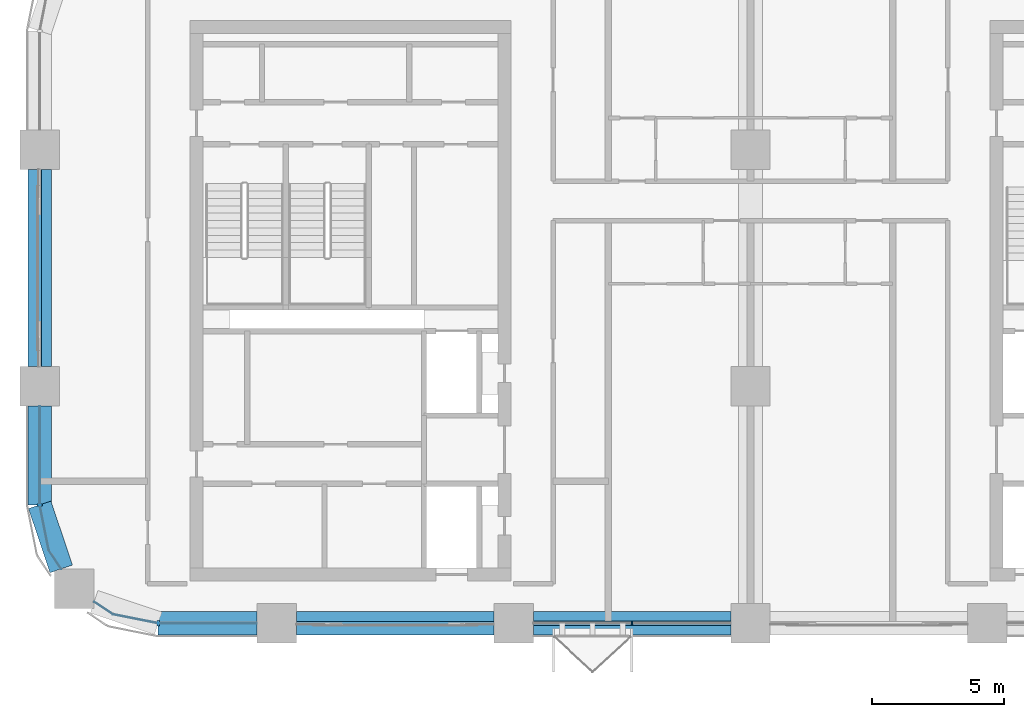
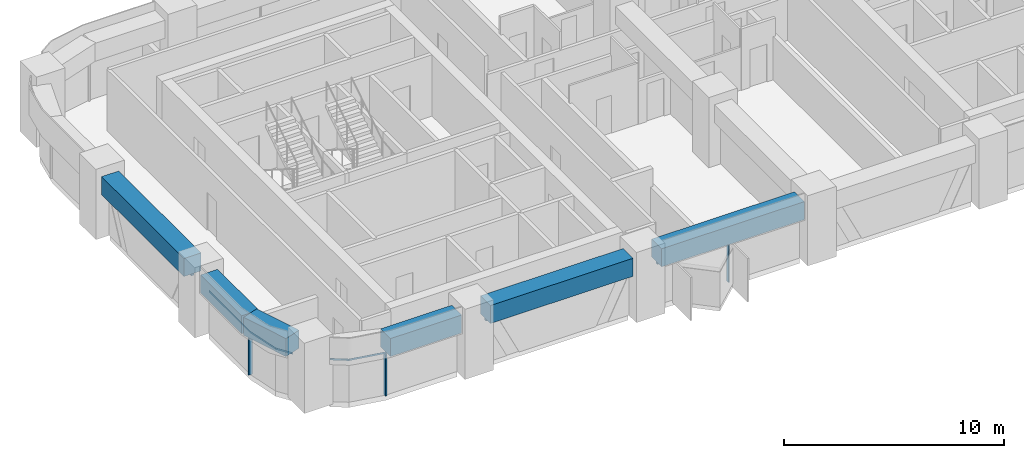
# One storey, part 2 of 14: 8 members, 6 beams, 5 elements without a shape of their own.
"""IFC4 building model written with IfcOpenShell, lengths in metres."""

from ifc_helpers import new_model, si_unit, direction, frame, origin, origin_2d, place, context, subcontext, project, spatial, polyline, rectangle, outline, extrude, material, material_profile, profile_set, type_object, element, aggregate, save


model = new_model("IFC4")

# Units and contexts
model_context = context("Model", 3, precision=1e-05, world=origin(), true_north=direction((0.0, 1.0)))
body_context = subcontext(model_context, "Body", "Model", "MODEL_VIEW")
ifc_project = project(units=[si_unit("LENGTHUNIT", "METRE"), si_unit("AREAUNIT", "SQUARE_METRE"), si_unit("VOLUMEUNIT", "CUBIC_METRE"), si_unit("PLANEANGLEUNIT", "RADIAN"), si_unit("MASSUNIT", "GRAM", prefix="KILO")], contexts=[model_context])

# Site, building, storey
site_placement = place(None, origin())
site = spatial("IfcSite", under=ifc_project, at=site_placement, CompositionType="ELEMENT")
building_placement = place(site_placement, origin())
building = spatial("IfcBuilding", under=site, at=building_placement, Name="Tessera Arch", CompositionType="ELEMENT")
storey_placement = place(building_placement, frame((0.0, 0.0, 193.39990234375)))
storey = spatial("IfcBuildingStorey", under=building, at=storey_placement, Name="L46", CompositionType="ELEMENT", Elevation=193.39990234375)

# Curtain wall, members
ifc_material_1 = material(Name="CW1 curtain wall")
curtain_wall_type_1 = type_object("IfcCurtainWallType", Name="CW1 curtain wall", PredefinedType="NOTDEFINED", material=ifc_material_1)
curtain_wall_1_placement = place(storey_placement, origin())
curtain_wall_1 = element("IfcCurtainWall", 1, at=curtain_wall_1_placement, inside=storey, type_object=curtain_wall_type_1, Name="CW1 curtain wall S27.0/2 L46", PredefinedType="NOTDEFINED")
ifc_material_2 = material(Name="Anodised aluminium pale metal", Category="aluminium")
ifc_material_profile_1 = material_profile(ifc_material_2, rectangle(XDim=0.159912109375, YDim=0.06005859375, at=origin_2d()), Name="AL 60x160")
ifc_profile_set_1 = profile_set([ifc_material_profile_1], Name="Anodised aluminium pale metal")
member_type_1 = type_object("IfcMemberType", Name="CW1 mullion", PredefinedType="MULLION", material=ifc_profile_set_1)
member_1_placement = place(storey_placement, frame((22.5, 27.0, 0.0), z_axis=(0.0, 0.0, 1.0), x_axis=(0.0, 1.0, 0.0)))
member_1 = element("IfcMember", 2, at=member_1_placement, type_object=member_type_1, Name="CW1 mullion S27.0/2 1", PredefinedType="MULLION", context=body_context, shape_type="SweptSolid", body=[
    extrude(rectangle(XDim=0.159912109375, YDim=0.06005859375, at=origin_2d()), origin(), (0.0, 0.0, 1.0), 2.300048828125),
])
ifc_material_3 = material(Name="Anodised aluminium pale metal", Category="aluminium")
ifc_material_profile_2 = material_profile(ifc_material_3, rectangle(XDim=0.159912109375, YDim=0.10009765625, at=origin_2d()), Name="AL 160x100")
ifc_profile_set_2 = profile_set([ifc_material_profile_2], Name="Anodised aluminium pale metal")
member_type_2 = type_object("IfcMemberType", Name="CW1 transom", PredefinedType="USERDEFINED", material=ifc_profile_set_2)
member_2_placement = place(storey_placement, frame((18.75, 27.0, 2.35009765625), z_axis=(1.0, 0.0, 0.0), x_axis=(0.0, 1.0, 0.0)))
member_2 = element("IfcMember", 3, at=member_2_placement, type_object=member_type_2, Name="CW1 transom S27.0/2 1.1", ObjectType="TRANSOM", PredefinedType="USERDEFINED", context=body_context, shape_type="SweptSolid", body=[
    extrude(rectangle(XDim=0.159912109375, YDim=0.10009765625, at=origin_2d()), origin(), (0.0, 0.0, 1.0), 7.5),
])
aggregate(curtain_wall_1, [member_1, member_2])

# Curtain wall, member
ifc_material_4 = material(Name="CW2 curtain wall")
curtain_wall_type_2 = type_object("IfcCurtainWallType", Name="CW2 curtain wall", PredefinedType="NOTDEFINED", material=ifc_material_4)
curtain_wall_2_placement = place(storey_placement, origin())
curtain_wall_2 = element("IfcCurtainWall", 4, at=curtain_wall_2_placement, inside=storey, type_object=curtain_wall_type_2, Name="CW2 curtain wall W0.27/2 L46", PredefinedType="NOTDEFINED")
ifc_material_5 = material(Name="Anodised aluminium pale metal", Category="aluminium")
ifc_material_profile_3 = material_profile(ifc_material_5, rectangle(XDim=0.199951171875, YDim=0.080078125, at=origin_2d()), Name="AL 80x200")
ifc_profile_set_3 = profile_set([ifc_material_profile_3], Name="Anodised aluminium pale metal")
member_type_3 = type_object("IfcMemberType", Name="CW2 mullion", PredefinedType="MULLION", material=ifc_profile_set_3)
member_3_placement = place(storey_placement, frame((0.0, 31.5, 0.0), z_axis=(0.0, 0.0, 1.0), x_axis=(1.0, 0.0, 0.0)))
member_3 = element("IfcMember", 5, at=member_3_placement, type_object=member_type_3, Name="CW2 mullion W0.27/2 1", PredefinedType="MULLION", context=body_context, shape_type="SweptSolid", body=[
    extrude(rectangle(XDim=0.199951171875, YDim=0.080078125, at=origin_2d()), origin(), (0.0, 0.0, 1.0), 2.300048828125),
])

curtain_wall_3_placement = place(storey_placement, origin())
curtain_wall_3 = element("IfcCurtainWall", 6, at=curtain_wall_3_placement, inside=storey, type_object=curtain_wall_type_2, Name="CW2 curtain wall S27.0/0 L46", PredefinedType="NOTDEFINED")
member_4_placement = place(storey_placement, frame((4.5, 27.0, 0.0), z_axis=(0.0, 0.0, 1.0), x_axis=(0.0, 1.0, 0.0)))
member_4 = element("IfcMember", 7, at=member_4_placement, type_object=member_type_3, Name="CW2 mullion S27.0/0 1", PredefinedType="MULLION", context=body_context, shape_type="SweptSolid", body=[
    extrude(rectangle(XDim=0.199951171875, YDim=0.080078125, at=origin_2d()), origin(), (0.0, 0.0, 1.0), 2.300048828125),
])

# Member
ifc_material_6 = material(Name="Anodised aluminium pale metal", Category="aluminium")
ifc_material_profile_4 = material_profile(ifc_material_6, rectangle(XDim=0.199951171875, YDim=0.10009765625, at=origin_2d()), Name="AL 200x100")
ifc_profile_set_4 = profile_set([ifc_material_profile_4], Name="Anodised aluminium pale metal")
member_type_4 = type_object("IfcMemberType", Name="CW2 transom", PredefinedType="USERDEFINED", material=ifc_profile_set_4)
member_5_placement = place(storey_placement, frame((0.0, 0.0, 2.300048828125)))
member_5 = element("IfcMember", 8, at=member_5_placement, type_object=member_type_4, Name="CW2 transom W0.27/2 1", ObjectType="TRANSOM", PredefinedType="USERDEFINED", context=body_context, shape_type="SweptSolid", body=[
    extrude(outline(polyline([(0.010009765625, 31.5009765625), (0.010009765625, 35.25), (-0.010009765625, 35.25), (-0.010009765625, 31.4990234375), (0.3330078125, 29.77392578125), (0.80859375, 29.0625), (0.8251953125, 29.073486328125), (0.351806640625, 29.78173828125), (0.010009765625, 31.5009765625)])), origin(), (0.0, 0.0, 1.0), 0.10009765625),
])

aggregate(curtain_wall_2, [member_3, member_5])

member_6_placement = place(storey_placement, frame((0.0, 0.0, 2.300048828125)))
member_6 = element("IfcMember", 9, at=member_6_placement, type_object=member_type_4, Name="CW2 transom S27.0/0 1", ObjectType="TRANSOM", PredefinedType="USERDEFINED", context=body_context, shape_type="SweptSolid", body=[
    extrude(outline(polyline([(2.78173828125, 27.351806640625), (2.073486328125, 27.8251953125), (2.0625, 27.80859375), (2.77392578125, 27.3330078125), (4.4990234375, 26.989990234375), (8.25, 26.989990234375), (8.25, 27.010009765625), (4.5009765625, 27.010009765625), (2.78173828125, 27.351806640625)])), origin(), (0.0, 0.0, 1.0), 0.10009765625),
])

aggregate(curtain_wall_3, [member_4, member_6])

# Curtain wall, member
ifc_material_7 = material(Name="CW3 curtain wall")
curtain_wall_type_3 = type_object("IfcCurtainWallType", Name="CW3 curtain wall", PredefinedType="NOTDEFINED", material=ifc_material_7)
curtain_wall_4_placement = place(storey_placement, origin())
curtain_wall_4 = element("IfcCurtainWall", 10, at=curtain_wall_4_placement, inside=storey, type_object=curtain_wall_type_3, Name="CW3 curtain wall W0.27/1 L46", PredefinedType="NOTDEFINED")
ifc_material_8 = material(Name="Anodised aluminium pale metal", Category="aluminium")
ifc_material_profile_5 = material_profile(ifc_material_8, rectangle(XDim=0.139892578125, YDim=0.10009765625, at=origin_2d()), Name="AL 140x100")
ifc_profile_set_5 = profile_set([ifc_material_profile_5], Name="Anodised aluminium pale metal")
member_type_5 = type_object("IfcMemberType", Name="CW3 transom", PredefinedType="USERDEFINED", material=ifc_profile_set_5)
member_7_placement = place(storey_placement, frame((0.0, 44.25, 2.35009765625), z_axis=(0.0, -1.0, 0.0), x_axis=(1.0, 0.0, 0.0)))
member_7 = element("IfcMember", 11, at=member_7_placement, type_object=member_type_5, Name="CW3 transom W0.27/1 1.1", ObjectType="TRANSOM", PredefinedType="USERDEFINED", context=body_context, shape_type="SweptSolid", body=[
    extrude(rectangle(XDim=0.139892578125, YDim=0.10009765625, at=origin_2d()), origin(), (0.0, 0.0, 1.0), 7.5),
])
aggregate(curtain_wall_4, [member_7])

curtain_wall_5_placement = place(storey_placement, origin())
curtain_wall_5 = element("IfcCurtainWall", 12, at=curtain_wall_5_placement, inside=storey, type_object=curtain_wall_type_3, Name="CW3 curtain wall S27.0/1 L46", PredefinedType="NOTDEFINED")
member_8_placement = place(storey_placement, frame((9.75, 27.0, 2.35009765625), z_axis=(1.0, 0.0, 0.0), x_axis=(0.0, 1.0, 0.0)))
member_8 = element("IfcMember", 13, at=member_8_placement, type_object=member_type_5, Name="CW3 transom S27.0/1 1.1", ObjectType="TRANSOM", PredefinedType="USERDEFINED", context=body_context, shape_type="SweptSolid", body=[
    extrude(rectangle(XDim=0.139892578125, YDim=0.10009765625, at=origin_2d()), origin(), (0.0, 0.0, 1.0), 7.5),
])
aggregate(curtain_wall_5, [member_8])

# Beams
ifc_material_9 = material(Name="Concrete C70/85", Category="concrete")
ifc_material_profile_6 = material_profile(ifc_material_9, rectangle(XDim=0.89990234375, YDim=1.0, at=origin_2d()), Name="RC spandrel beam 900 x 1000 Concrete C70/85")
ifc_profile_set_6 = profile_set([ifc_material_profile_6], Name="Concrete C70/85")
beam_type = type_object("IfcBeamType", Name="RC spandrel beam 900 x 1000 Concrete C70/85", PredefinedType="BEAM", material=ifc_profile_set_6)
beam_1_placement = place(storey_placement, frame((0.0, 44.25, 2.900146484375), z_axis=(0.0, -1.0, 0.0), x_axis=(1.0, 0.0, 0.0)))
element("IfcBeam", 14, at=beam_1_placement, inside=storey, type_object=beam_type, Name="Spandrel beam L46 W0.27/1", PredefinedType="BEAM", context=body_context, shape_type="SweptSolid", body=[
    extrude(rectangle(XDim=0.89990234375, YDim=1.0, at=origin_2d()), origin(), (0.0, 0.0, 1.0), 7.5),
])
beam_2_placement = place(storey_placement, frame((0.0, 35.25, 2.900146484375), z_axis=(0.0, -1.0, 0.0), x_axis=(1.0, 0.0, 0.0)))
element("IfcBeam", 15, at=beam_2_placement, inside=storey, type_object=beam_type, Name="Spandrel beam L46 W0.27/2.1", PredefinedType="BEAM", context=body_context, shape_type="SweptSolid", body=[
    extrude(rectangle(XDim=0.89990234375, YDim=1.0, at=origin_2d()), origin(), (0.0, 0.0, 1.0), 3.75),
])
beam_3_placement = place(storey_placement, frame((0.0, 31.5, 2.900146484375), z_axis=(0.31842525032, -0.947947973234, 0.0), x_axis=(0.947947973234, 0.31842525032, 0.0)))
element("IfcBeam", 16, at=beam_3_placement, inside=storey, type_object=beam_type, Name="Spandrel beam L46 W0.27/2.2", PredefinedType="BEAM", context=body_context, shape_type="SweptSolid", body=[
    extrude(rectangle(XDim=0.89990234375, YDim=1.0, at=origin_2d()), origin(), (0.0, 0.0, 1.0), 2.5654296875),
])
beam_4_placement = place(storey_placement, frame((4.5, 27.0, 2.900146484375), z_axis=(1.0, 0.0, 0.0), x_axis=(0.0, 1.0, 0.0)))
element("IfcBeam", 17, at=beam_4_placement, inside=storey, type_object=beam_type, Name="Spandrel beam L46 S27.0/0.2", PredefinedType="BEAM", context=body_context, shape_type="SweptSolid", body=[
    extrude(rectangle(XDim=0.89990234375, YDim=1.0, at=origin_2d()), origin(), (0.0, 0.0, 1.0), 3.75),
])
for number, where, z_axis, x_axis, name in (
    (18, (9.75, 27.0, 2.900146484375), (1.0, 0.0, 0.0), (0.0, 1.0, 0.0), "Spandrel beam L46 S27.0/1"),
    (19, (18.75, 27.0, 2.900146484375), (1.0, 0.0, 0.0), (0.0, 1.0, 0.0), "Spandrel beam L46 S27.0/2"),
):
    element("IfcBeam", number, at=place(storey_placement, frame(where, z_axis=z_axis, x_axis=x_axis)), inside=storey, type_object=beam_type, Name=name, PredefinedType="BEAM", context=body_context, shape_type="SweptSolid", body=[
        extrude(rectangle(XDim=0.89990234375, YDim=1.0, at=origin_2d()), origin(), (0.0, 0.0, 1.0), 7.5),
    ])

save(model, "model.ifc")
